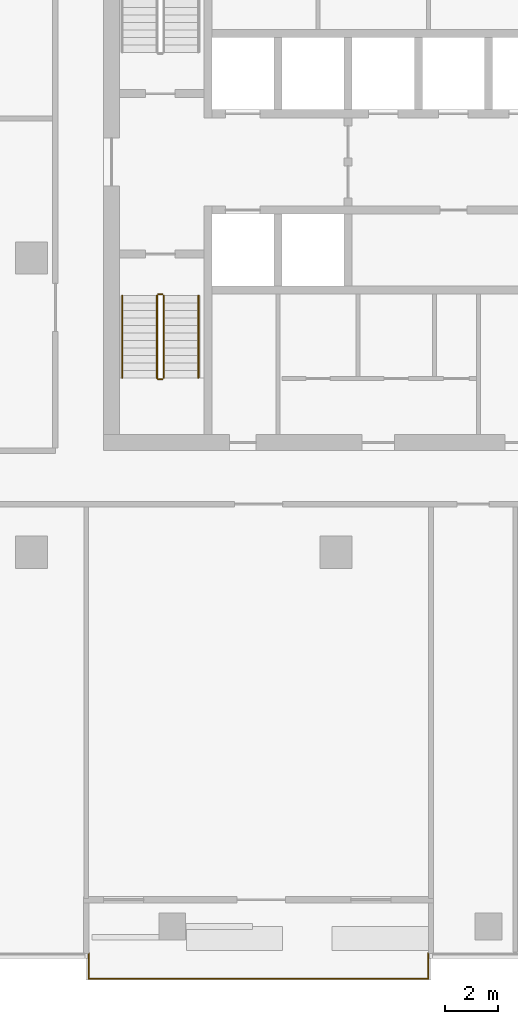
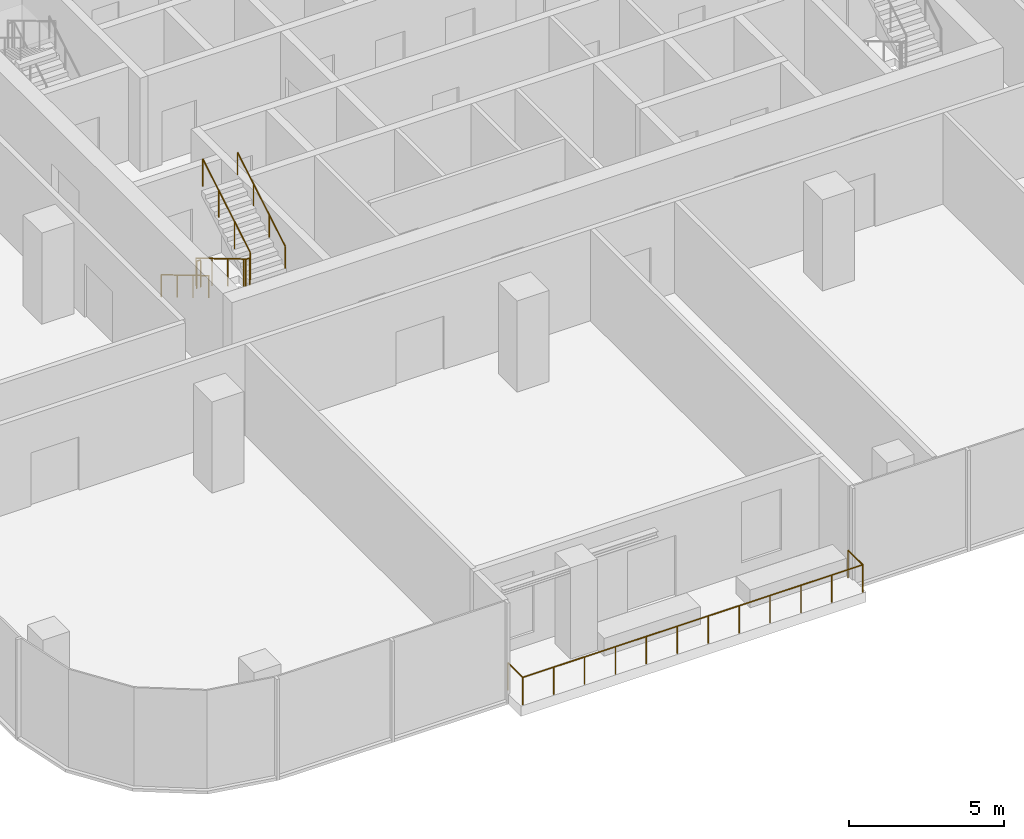
# One storey, part 11 of 13: 6 railings.
"""IFC4 building model written with IfcOpenShell, lengths in metres."""

from ifc_helpers import new_model, si_unit, direction, frame, origin, origin_2d, place, context, subcontext, project, spatial, circle, extrude, material, type_object, element, save


model = new_model("IFC4")

# Units and contexts
model_context = context("Model", 3, precision=1e-05, world=origin(), true_north=direction((0.0, 1.0)))
body_context = subcontext(model_context, "Body", "Model", "MODEL_VIEW")
ifc_project = project(units=[si_unit("LENGTHUNIT", "METRE"), si_unit("AREAUNIT", "SQUARE_METRE"), si_unit("VOLUMEUNIT", "CUBIC_METRE"), si_unit("PLANEANGLEUNIT", "RADIAN"), si_unit("MASSUNIT", "GRAM", prefix="KILO")], contexts=[model_context])

# Site, building, storey
site_placement = place(None, origin())
site = spatial("IfcSite", under=ifc_project, at=site_placement, CompositionType="ELEMENT")
building_placement = place(site_placement, origin())
building = spatial("IfcBuilding", under=site, at=building_placement, Name="Mopane Tessera Tower", CompositionType="ELEMENT")
storey_placement = place(building_placement, frame((0.0, 0.0, 299.39990234375)))
storey = spatial("IfcBuildingStorey", under=building, at=storey_placement, Name="L65", CompositionType="ELEMENT", Elevation=299.39990234375)

# Railings
ifc_material_1 = material(Name="Powder-coated steel balustrade", Category="steel")
railing_type_1 = type_object("IfcRailingType", Name="Escape stair guard 1100 mm", PredefinedType="GUARDRAIL", material=ifc_material_1)
railing_1_placement = place(storey_placement, frame((-12.39990234375, -1.39990234375, 0.166748046875)))
element("IfcRailing", 1, at=railing_1_placement, inside=storey, type_object=railing_type_1, Name="L65 ST1 stair guard 1", PredefinedType="GUARDRAIL", context=body_context, shape_type="SweptSolid", body=[
    extrude(circle(Radius=0.02392578125, at=origin_2d()), frame((0.0, 0.0, 1.076171875), z_axis=(0.0, -0.859308565015, 0.511457515432), x_axis=(1.0, 0.0, 0.0)), (0.0, 0.0, 1.0), 3.58447265625),
    extrude(circle(Radius=0.02392578125, at=origin_2d()), frame((0.0, -3.080078125, 2.9091796875), z_axis=(0.705375805398, -0.708833529934, 0.0), x_axis=(0.708833529934, 0.705375805398, 0.0)), (0.0, 0.0, 1.0), 0.070556640625),
    extrude(circle(Radius=0.02392578125, at=origin_2d()), frame((0.0498046875, -3.130126953125, 2.9091796875), z_axis=(1.0, 0.0, 0.0), x_axis=(0.0, 1.0, 0.0)), (0.0, 0.0, 1.0), 0.150146484375),
    extrude(circle(Radius=0.02099609375, at=origin_2d()), origin(), (0.0, 0.0, 1.0), 1.052001953125),
    extrude(circle(Radius=0.02099609375, at=origin_2d()), frame((0.0, -1.026611328125, 0.611083984375)), (0.0, 0.0, 1.0), 1.052001953125),
    extrude(circle(Radius=0.02099609375, at=origin_2d()), frame((0.0, -2.053466796875, 1.22216796875)), (0.0, 0.0, 1.0), 1.052001953125),
    extrude(circle(Radius=0.02099609375, at=origin_2d()), frame((0.0, -3.080078125, 1.833251953125)), (0.0, 0.0, 1.0), 1.052001953125),
    extrude(circle(Radius=0.02099609375, at=origin_2d()), frame((0.0498046875, -3.130126953125, 1.833251953125)), (0.0, 0.0, 1.0), 1.052001953125),
    extrude(circle(Radius=0.02099609375, at=origin_2d()), frame((0.199951171875, -3.130126953125, 1.833251953125)), (0.0, 0.0, 1.0), 1.052001953125),
])
railing_2_placement = place(storey_placement, frame((-12.14990234375, -4.47998046875, 2.166748046875)))
element("IfcRailing", 2, at=railing_2_placement, inside=storey, type_object=railing_type_1, Name="L65 ST1 stair guard 2", PredefinedType="GUARDRAIL", context=body_context, shape_type="SweptSolid", body=[
    extrude(circle(Radius=0.02392578125, at=origin_2d()), frame((0.0, 0.0, 1.076171875), z_axis=(0.0, 0.859308565015, 0.511457515432), x_axis=(-1.0, 0.0, 0.0)), (0.0, 0.0, 1.0), 3.58447265625),
    extrude(circle(Radius=0.02099609375, at=origin_2d()), origin(), (0.0, 0.0, 1.0), 1.052001953125),
    extrude(circle(Radius=0.02099609375, at=origin_2d()), frame((0.0, 1.026611328125, 0.611083984375)), (0.0, 0.0, 1.0), 1.052001953125),
    extrude(circle(Radius=0.02099609375, at=origin_2d()), frame((0.0, 2.053466796875, 1.22216796875)), (0.0, 0.0, 1.0), 1.052001953125),
    extrude(circle(Radius=0.02099609375, at=origin_2d()), frame((0.0, 3.080078125, 1.833251953125)), (0.0, 0.0, 1.0), 1.052001953125),
])
railing_3_placement = place(storey_placement, frame((-12.35009765625, -1.35009765625, 0.0)))
element("IfcRailing", 3, at=railing_3_placement, inside=storey, type_object=railing_type_1, Name="L65 ST1 stair guard 3", PredefinedType="GUARDRAIL", context=body_context, shape_type="SweptSolid", body=[
    extrude(circle(Radius=0.02392578125, at=origin_2d()), frame((0.0, 0.0, 1.076171875), z_axis=(1.0, 0.0, 0.0), x_axis=(0.0, 1.0, 0.0)), (0.0, 0.0, 1.0), 0.150146484375),
    extrude(circle(Radius=0.02099609375, at=origin_2d()), origin(), (0.0, 0.0, 1.0), 1.052001953125),
    extrude(circle(Radius=0.02099609375, at=origin_2d()), frame((0.150146484375, 0.0, 0.0)), (0.0, 0.0, 1.0), 1.052001953125),
])
ifc_material_2 = material(Name="Powder-coated steel balustrade", Category="steel")
railing_type_2 = type_object("IfcRailingType", Name="Escape stair handrail 900 mm", PredefinedType="HANDRAIL", material=ifc_material_2)
railing_4_placement = place(storey_placement, frame((-13.699951171875, -1.39990234375, 0.166748046875)))
element("IfcRailing", 4, at=railing_4_placement, inside=storey, type_object=railing_type_2, Name="L65 ST1 stair handrail 1", PredefinedType="HANDRAIL", context=body_context, shape_type="SweptSolid", body=[
    extrude(circle(Radius=0.02392578125, at=origin_2d()), frame((0.0, 0.0, 0.8759765625), z_axis=(0.0, -0.859308565015, 0.511457515432), x_axis=(1.0, 0.0, 0.0)), (0.0, 0.0, 1.0), 3.58447265625),
    extrude(circle(Radius=0.02099609375, at=origin_2d()), origin(), (0.0, 0.0, 1.0), 0.851806640625),
    extrude(circle(Radius=0.02099609375, at=origin_2d()), frame((0.0, -1.026611328125, 0.611083984375)), (0.0, 0.0, 1.0), 0.851806640625),
    extrude(circle(Radius=0.02099609375, at=origin_2d()), frame((0.0, -2.053466796875, 1.22216796875)), (0.0, 0.0, 1.0), 0.851806640625),
    extrude(circle(Radius=0.02099609375, at=origin_2d()), frame((0.0, -3.080078125, 1.833251953125)), (0.0, 0.0, 1.0), 0.851806640625),
])
railing_5_placement = place(storey_placement, frame((-10.85009765625, -4.47998046875, 2.166748046875)))
element("IfcRailing", 5, at=railing_5_placement, inside=storey, type_object=railing_type_2, Name="L65 ST1 stair handrail 2", PredefinedType="HANDRAIL", context=body_context, shape_type="SweptSolid", body=[
    extrude(circle(Radius=0.02392578125, at=origin_2d()), frame((0.0, 0.0, 0.8759765625), z_axis=(0.0, 0.859308565015, 0.511457515432), x_axis=(-1.0, 0.0, 0.0)), (0.0, 0.0, 1.0), 3.58447265625),
    extrude(circle(Radius=0.02099609375, at=origin_2d()), origin(), (0.0, 0.0, 1.0), 0.851806640625),
    extrude(circle(Radius=0.02099609375, at=origin_2d()), frame((0.0, 1.026611328125, 0.611083984375)), (0.0, 0.0, 1.0), 0.851806640625),
    extrude(circle(Radius=0.02099609375, at=origin_2d()), frame((0.0, 2.053466796875, 1.22216796875)), (0.0, 0.0, 1.0), 0.851806640625),
    extrude(circle(Radius=0.02099609375, at=origin_2d()), frame((0.0, 3.080078125, 1.833251953125)), (0.0, 0.0, 1.0), 0.851806640625),
])
ifc_material_3 = material(Name="Stainless steel S316", Category="steel")
railing_type_3 = type_object("IfcRailingType", Name="Terrace guard 1100", PredefinedType="GUARDRAIL", material=ifc_material_3)
railing_6_placement = place(storey_placement, frame((-14.949951171875, -26.0, 0.0)))
element("IfcRailing", 6, at=railing_6_placement, inside=storey, type_object=railing_type_3, Name="e:nw:L65:N3:guard", PredefinedType="GUARDRAIL", context=body_context, shape_type="SweptSolid", body=[
    extrude(circle(Radius=0.02392578125, at=origin_2d()), frame((0.0, 0.0, 1.076171875), z_axis=(0.0, -1.0, 0.0), x_axis=(1.0, 0.0, 0.0)), (0.0, 0.0, 1.0), 0.949951171875),
    extrude(circle(Radius=0.02392578125, at=origin_2d()), frame((0.0, -0.949951171875, 1.076171875), z_axis=(1.0, 0.0, 0.0), x_axis=(0.0, 1.0, 0.0)), (0.0, 0.0, 1.0), 12.699951171875),
    extrude(circle(Radius=0.02392578125, at=origin_2d()), frame((12.699951171875, -0.949951171875, 1.076171875), z_axis=(0.0, 1.0, 0.0), x_axis=(-1.0, 0.0, 0.0)), (0.0, 0.0, 1.0), 0.949951171875),
    extrude(circle(Radius=0.02099609375, at=origin_2d()), origin(), (0.0, 0.0, 1.0), 1.052001953125),
    extrude(circle(Radius=0.02099609375, at=origin_2d()), frame((0.0, -0.949951171875, 0.0)), (0.0, 0.0, 1.0), 1.052001953125),
    extrude(circle(Radius=0.02099609375, at=origin_2d()), frame((1.154541015625, -0.949951171875, 0.0)), (0.0, 0.0, 1.0), 1.052001953125),
    extrude(circle(Radius=0.02099609375, at=origin_2d()), frame((2.30908203125, -0.949951171875, 0.0)), (0.0, 0.0, 1.0), 1.052001953125),
    extrude(circle(Radius=0.02099609375, at=origin_2d()), frame((3.463623046875, -0.949951171875, 0.0)), (0.0, 0.0, 1.0), 1.052001953125),
    extrude(circle(Radius=0.02099609375, at=origin_2d()), frame((4.6181640625, -0.949951171875, 0.0)), (0.0, 0.0, 1.0), 1.052001953125),
    extrude(circle(Radius=0.02099609375, at=origin_2d()), frame((5.772705078125, -0.949951171875, 0.0)), (0.0, 0.0, 1.0), 1.052001953125),
    extrude(circle(Radius=0.02099609375, at=origin_2d()), frame((6.92724609375, -0.949951171875, 0.0)), (0.0, 0.0, 1.0), 1.052001953125),
    extrude(circle(Radius=0.02099609375, at=origin_2d()), frame((8.081787109375, -0.949951171875, 0.0)), (0.0, 0.0, 1.0), 1.052001953125),
    extrude(circle(Radius=0.02099609375, at=origin_2d()), frame((9.236328125, -0.949951171875, 0.0)), (0.0, 0.0, 1.0), 1.052001953125),
    extrude(circle(Radius=0.02099609375, at=origin_2d()), frame((10.390869140625, -0.949951171875, 0.0)), (0.0, 0.0, 1.0), 1.052001953125),
    extrude(circle(Radius=0.02099609375, at=origin_2d()), frame((11.54541015625, -0.949951171875, 0.0)), (0.0, 0.0, 1.0), 1.052001953125),
    extrude(circle(Radius=0.02099609375, at=origin_2d()), frame((12.699951171875, -0.949951171875, 0.0)), (0.0, 0.0, 1.0), 1.052001953125),
    extrude(circle(Radius=0.02099609375, at=origin_2d()), frame((12.699951171875, 0.0, 0.0)), (0.0, 0.0, 1.0), 1.052001953125),
])

save(model, "model.ifc")
